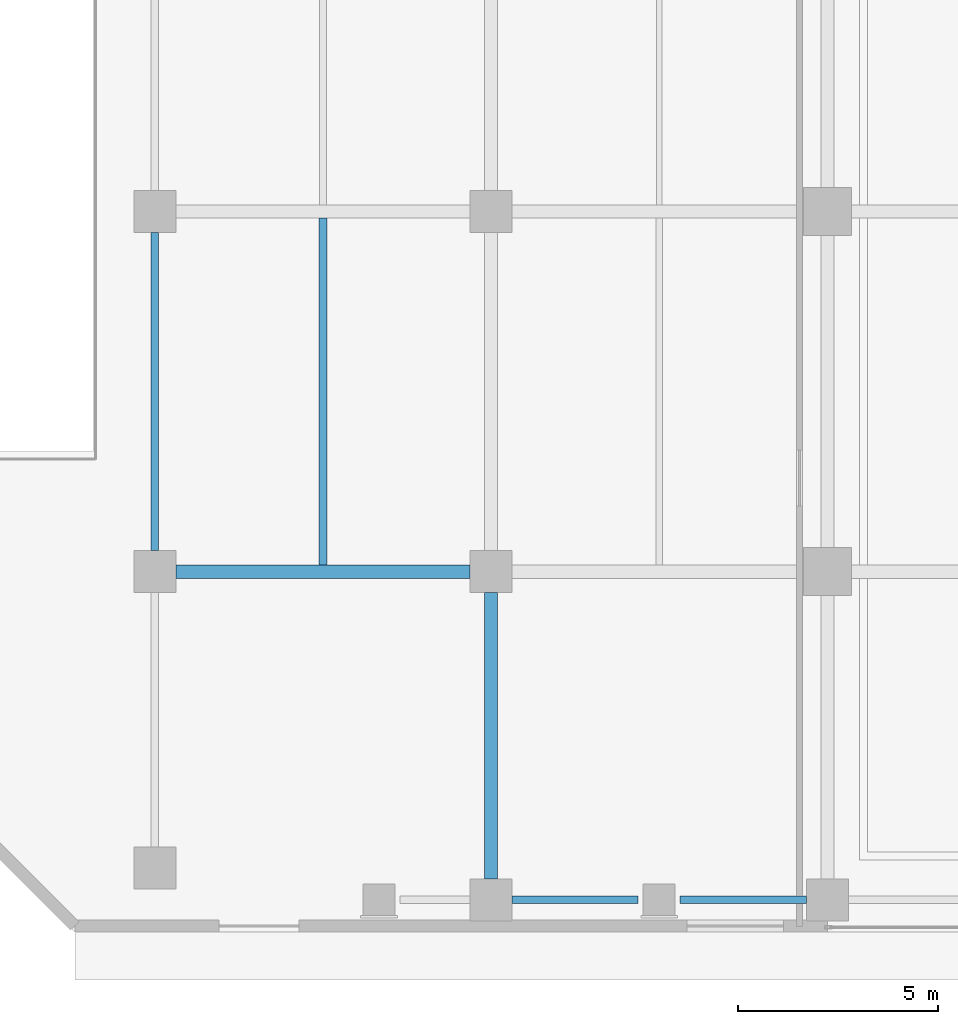
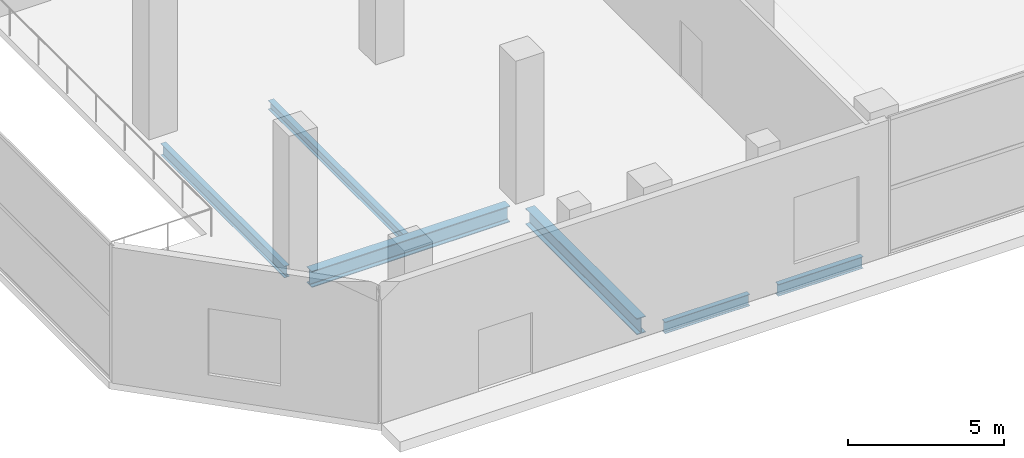
# One storey, part 7 of 35: 6 beams.
"""IFC4 building model written with IfcOpenShell, lengths in metres."""

import ifcopenshell
import ifcopenshell.guid

model = None  # the IFC model being written
_history = None  # IfcOwnerHistory: only IFC2X3 demands one
_inside = {}  # id of a spatial element -> (the spatial element, [elements in it])
_under = {}  # id of a project, library or spatial element -> (it, [spatial elements below it])
_declared = {}  # id of a project -> (the project, [libraries it declares])
_typed = {}  # id of a type object -> (the type object, [elements of that type])
_made_of = {}  # id of a material, layer set ... -> (it, [elements and type objects made of it])


def new_model(schema):
    """Start an empty IFC model of exactly this schema.

    Asked for "IFC4X3", IfcOpenShell would pick the latest addendum, in which some entities
    have other attributes; the version numbers below select the first issue.
    IFC2X3 requires an IfcOwnerHistory on every rooted entity: one is made here for all.
    """
    global model, _history
    if schema == "IFC4X3":
        model = ifcopenshell.file(schema_version=(4, 3, 0, 0))
    else:
        model = ifcopenshell.file(schema=schema)
    _inside.clear()
    _under.clear()
    _declared.clear()
    _typed.clear()
    _made_of.clear()
    _history = None
    if model.schema == "IFC2X3":
        org = make("IfcOrganization", Name="unknown")
        user = make(
            "IfcPersonAndOrganization",
            ThePerson=make("IfcPerson", FamilyName="unknown"),
            TheOrganization=org,
        )
        app = make(
            "IfcApplication",
            ApplicationDeveloper=org,
            Version="unknown",
            ApplicationFullName="unknown",
            ApplicationIdentifier="unknown",
        )
        _history = make(
            "IfcOwnerHistory",
            OwningUser=user,
            OwningApplication=app,
            ChangeAction="ADDED",
            CreationDate=0,
        )
    return model


def make(cls, **values):
    """One entity of the class cls with the attributes given. An attribute that is None is left unset."""
    return model.create_entity(
        cls, **{name: value for name, value in values.items() if value is not None}
    )


def rooted(cls, **values):
    """An entity with a GlobalId (a new one), such as an element, a storey or a relation."""
    return make(cls, GlobalId=ifcopenshell.guid.new(), OwnerHistory=_history, **values)


def si_unit(unit_type, name, prefix=None):
    """IfcSIUnit, for example si_unit("LENGTHUNIT", "METRE", prefix="MILLI")."""
    return make("IfcSIUnit", UnitType=unit_type, Prefix=prefix, Name=name)


def assignment(units):
    """IfcUnitAssignment: the units of a project."""
    return None if units is None else make("IfcUnitAssignment", Units=units)


def point(xyz):
    """IfcCartesianPoint."""
    return None if xyz is None else make("IfcCartesianPoint", Coordinates=xyz)


def direction(xyz):
    """IfcDirection."""
    return None if xyz is None else make("IfcDirection", DirectionRatios=xyz)


def frame(location, z_axis=None, x_axis=None):
    """IfcAxis2Placement3D, a coordinate frame: its origin and axes. An axis left out is left unset."""
    return make(
        "IfcAxis2Placement3D",
        Location=point(location),
        Axis=direction(z_axis),
        RefDirection=direction(x_axis),
    )


def frame_2d(location, x_axis=None):
    """IfcAxis2Placement2D, a coordinate frame in the plane: its origin and x axis."""
    return make(
        "IfcAxis2Placement2D", Location=point(location), RefDirection=direction(x_axis)
    )


def origin():
    """The frame at (0, 0, 0) with its axes left unset."""
    return frame((0.0, 0.0, 0.0))


def origin_2d():
    """The frame at (0, 0) in the plane with its x axis left unset."""
    return frame_2d((0.0, 0.0))


def place(relative_to, where):
    """IfcLocalPlacement: puts the frame where relative to a parent placement (None: the world)."""
    return make(
        "IfcLocalPlacement", PlacementRelTo=relative_to, RelativePlacement=where
    )


def context(
    kind, dimensions, precision=None, world=None, true_north=None, identifier=None
):
    """IfcGeometricRepresentationContext, for example the 3D "Model" context."""
    return make(
        "IfcGeometricRepresentationContext",
        ContextIdentifier=identifier,
        ContextType=kind,
        CoordinateSpaceDimension=dimensions,
        Precision=precision,
        WorldCoordinateSystem=world,
        TrueNorth=true_north,
    )


def subcontext(parent, identifier, kind, view, scale=None):
    """IfcGeometricRepresentationSubContext, for example "Body" below "Model"."""
    return make(
        "IfcGeometricRepresentationSubContext",
        ContextIdentifier=identifier,
        ContextType=kind,
        ParentContext=parent,
        TargetScale=scale,
        TargetView=view,
    )


def project(units=None, contexts=None):
    """IfcProject with its units and contexts."""
    return rooted(
        "IfcProject",
        Name="project",
        RepresentationContexts=contexts,
        UnitsInContext=assignment(units),
    )


def spatial(cls, under=None, at=None, **own):
    """A site, building, storey or space (cls), placed at a placement, below another one or the project."""
    s = rooted(cls, ObjectPlacement=at, **own)
    if under is not None:
        _under.setdefault(under.id(), (under, []))[1].append(s)
    return s


def profile(cls, at=None, kind="AREA", **sizes):
    """A parametric profile (cls). Its sizes go by their IFC names, for example OverallWidth=200.0."""
    return make(cls, ProfileType=kind, Position=at, **sizes)


def i_section(**sizes):
    """IfcIShapeProfileDef."""
    return profile("IfcIShapeProfileDef", **sizes)


def extrude(swept, where, along, depth):
    """IfcExtrudedAreaSolid: the profile swept, set in the frame where, extruded along a direction by depth."""
    return make(
        "IfcExtrudedAreaSolid",
        SweptArea=swept,
        Position=where,
        ExtrudedDirection=direction(along),
        Depth=depth,
    )


def shape(context_of_items, identifier, shape_type, items):
    """IfcShapeRepresentation: the items that make up one representation, for example the "Body"."""
    return make(
        "IfcShapeRepresentation",
        ContextOfItems=context_of_items,
        RepresentationIdentifier=identifier,
        RepresentationType=shape_type,
        Items=items,
    )


def material(Name=None, Category=None):
    """IfcMaterial."""
    return make("IfcMaterial", Name=Name, Category=Category)


def material_profile(
    of_material, cross_section, Name=None, Category=None, Priority=None
):
    """IfcMaterialProfile: a cross section and its material."""
    return make(
        "IfcMaterialProfile",
        Name=Name,
        Material=of_material,
        Profile=cross_section,
        Priority=Priority,
        Category=Category,
    )


def profile_set(profiles, Name=None, composite=None):
    """IfcMaterialProfileSet."""
    return make(
        "IfcMaterialProfileSet",
        Name=Name,
        MaterialProfiles=profiles,
        CompositeProfile=composite,
    )


def made_of(thing, what):
    """Note that an element or type object is made of a material, layer set ...; save() writes the relation."""
    if what is not None:
        _made_of.setdefault(what.id(), (what, []))[1].append(thing)
    return thing


def type_object(cls, material=None, **own):
    """A type object (cls), such as IfcWallType, which elements share."""
    return made_of(rooted(cls, **own), material)


def element(
    cls,
    number,
    at=None,
    inside=None,
    cuts=None,
    type_object=None,
    material=None,
    context=None,
    identifier="Body",
    shape_type=None,
    held_by="IfcProductDefinitionShape",
    body=None,
    shapes=None,
    **own,
):
    """One element of the class cls, such as IfcWall. Its Tag is "e" and its number.

    at: its placement. inside: the storey or other place that contains it. cuts: it is an
    opening in that element (IfcRelVoidsElement). A single representation is given by context,
    identifier, shape_type and body (its items); several are given by shapes. held_by: the class
    of the entity that holds the representations. save() writes the other relations.
    """
    e = rooted(cls, Tag="e%d" % number, ObjectPlacement=at, **own)
    if body is not None:
        shapes = [shape(context, identifier, shape_type, body)]
    if shapes is not None:
        e.Representation = make(held_by, Representations=shapes)
    if inside is not None:
        _inside.setdefault(inside.id(), (inside, []))[1].append(e)
    if cuts is not None:
        rooted(
            "IfcRelVoidsElement", RelatingBuildingElement=cuts, RelatedOpeningElement=e
        )
    if type_object is not None:
        _typed.setdefault(type_object.id(), (type_object, []))[1].append(e)
    return made_of(e, material)


def aggregate(whole, parts):
    """IfcRelAggregates: a whole, such as a stair, and the parts it consists of."""
    return rooted("IfcRelAggregates", RelatingObject=whole, RelatedObjects=parts)


def save(model, path):
    """Write the relations noted so far, then the file.

    IfcRelAggregates (storeys below a building ...), IfcRelContainedInSpatialStructure (elements
    in a storey), IfcRelDefinesByType, IfcRelAssociatesMaterial and IfcRelDeclares: one each for
    every whole, place, type object, material and project.
    """
    for whole, parts in _under.values():
        aggregate(whole, parts)
    for where, things in _inside.values():
        rooted(
            "IfcRelContainedInSpatialStructure",
            RelatedElements=things,
            RelatingStructure=where,
        )
    for kind, things in _typed.values():
        rooted("IfcRelDefinesByType", RelatedObjects=things, RelatingType=kind)
    for what, things in _made_of.values():
        rooted("IfcRelAssociatesMaterial", RelatedObjects=things, RelatingMaterial=what)
    for by, libraries in _declared.values():
        rooted("IfcRelDeclares", RelatingContext=by, RelatedDefinitions=libraries)
    model.write(path)


model = new_model("IFC4")

# Units and contexts
model_context = context("Model", 3, precision=1e-05, world=origin(), true_north=direction((0.0, 1.0)))
body_context = subcontext(model_context, "Body", "Model", "MODEL_VIEW")
ifc_project = project(units=[si_unit("LENGTHUNIT", "METRE"), si_unit("AREAUNIT", "SQUARE_METRE"), si_unit("VOLUMEUNIT", "CUBIC_METRE"), si_unit("PLANEANGLEUNIT", "RADIAN"), si_unit("MASSUNIT", "GRAM", prefix="KILO")], contexts=[model_context])

# Site, building, storey
site_placement = place(None, origin())
site = spatial("IfcSite", under=ifc_project, at=site_placement, CompositionType="ELEMENT")
building_placement = place(site_placement, origin())
building = spatial("IfcBuilding", under=site, at=building_placement, Name="Maruvema Waterfront Hotel and Observation Tower", CompositionType="ELEMENT")
storey_placement = place(building_placement, origin())
storey = spatial("IfcBuildingStorey", under=building, at=storey_placement, Name="L00", CompositionType="ELEMENT", Elevation=0.0)

# Beams
ifc_material_1 = material(Name="Steel ASTM A572 Grade 50", Category="steel")
ifc_material_profile_1 = material_profile(ifc_material_1, i_section(OverallWidth=0.18994140625, OverallDepth=0.45703125, WebThickness=0.009033203125, FlangeThickness=0.014404296875, FilletRadius=0.014892578125, at=origin_2d()), Name="W460x74.0")
ifc_profile_set_1 = profile_set([ifc_material_profile_1], Name="Steel ASTM A572 Grade 50")
beam_type_1 = type_object("IfcBeamType", Name="Perimeter Spandrel Beam W460x74.0", PredefinedType="SPANDREL", material=ifc_profile_set_1)
for number, where, z_axis, x_axis, name in (
    (1, (17.324951171875, 0.800048828125, -0.508544921875), (1.0, 0.0, 0.0), (0.0, 1.0, 0.0), "L00 Floor Girder EW-02"),
    (2, (21.52490234375, 0.800048828125, -0.508544921875), (1.0, 0.0, 0.0), (0.0, 1.0, 0.0), "L00 Floor Girder EW-03"),
):
    element("IfcBeam", number, at=place(storey_placement, frame(where, z_axis=z_axis, x_axis=x_axis)), inside=storey, type_object=beam_type_1, Name=name, PredefinedType="SPANDREL", context=body_context, shape_type="SweptSolid", body=[
        extrude(i_section(OverallWidth=0.18994140625, OverallDepth=0.45703125, WebThickness=0.009033203125, FlangeThickness=0.014404296875, FilletRadius=0.014892578125, at=origin_2d()), origin(), (0.0, 0.0, 1.0), 3.150146484375),
    ])
beam_1_placement = place(storey_placement, frame((8.39990234375, 9.52490234375, -0.508544921875), z_axis=(0.0, 1.0, 0.0), x_axis=(-1.0, 0.0, 0.0)))
element("IfcBeam", 3, at=beam_1_placement, inside=storey, type_object=beam_type_1, Name="L00 Floor Girder NS-02", PredefinedType="SPANDREL", context=body_context, shape_type="SweptSolid", body=[
    extrude(i_section(OverallWidth=0.18994140625, OverallDepth=0.45703125, WebThickness=0.009033203125, FlangeThickness=0.014404296875, FilletRadius=0.014892578125, at=origin_2d()), origin(), (0.0, 0.0, 1.0), 7.9501953125),
])
ifc_material_2 = material(Name="Steel ASTM A572 Grade 50", Category="steel")
ifc_material_profile_2 = material_profile(ifc_material_2, i_section(OverallWidth=0.3291015625, OverallDepth=0.635009765625, WebThickness=0.017822265625, FlangeThickness=0.031005859375, FilletRadius=0.01806640625, at=origin_2d()), Name="W610x241.0")
ifc_profile_set_2 = profile_set([ifc_material_profile_2], Name="Steel ASTM A572 Grade 50")
beam_type_2 = type_object("IfcBeamType", Name="Primary Floor Girder W610x241.0", PredefinedType="BEAM", material=ifc_profile_set_2)
beam_2_placement = place(storey_placement, frame((8.925048828125, 9.0, -0.597412109375), z_axis=(1.0, 0.0, 0.0), x_axis=(0.0, 1.0, 0.0)))
element("IfcBeam", 4, at=beam_2_placement, inside=storey, type_object=beam_type_2, Name="L00 Floor Girder EW-10", PredefinedType="BEAM", context=body_context, shape_type="SweptSolid", body=[
    extrude(i_section(OverallWidth=0.3291015625, OverallDepth=0.635009765625, WebThickness=0.017822265625, FlangeThickness=0.031005859375, FilletRadius=0.01806640625, at=origin_2d()), origin(), (0.0, 0.0, 1.0), 7.349853515625),
])
beam_3_placement = place(storey_placement, frame((16.800048828125, 1.324951171875, -0.597412109375), z_axis=(0.0, 1.0, 0.0), x_axis=(-1.0, 0.0, 0.0)))
element("IfcBeam", 5, at=beam_3_placement, inside=storey, type_object=beam_type_2, Name="L00 Floor Girder NS-07", PredefinedType="BEAM", context=body_context, shape_type="SweptSolid", body=[
    extrude(i_section(OverallWidth=0.3291015625, OverallDepth=0.635009765625, WebThickness=0.017822265625, FlangeThickness=0.031005859375, FilletRadius=0.01806640625, at=origin_2d()), origin(), (0.0, 0.0, 1.0), 7.150146484375),
])
ifc_material_3 = material(Name="Steel ASTM A572 Grade 50", Category="steel")
ifc_material_profile_3 = material_profile(ifc_material_3, i_section(OverallWidth=0.202880859375, OverallDepth=0.346923828125, WebThickness=0.0078125, FlangeThickness=0.013427734375, FilletRadius=0.014892578125, at=origin_2d()), Name="W360x64.0")
ifc_profile_set_3 = profile_set([ifc_material_profile_3], Name="Steel ASTM A572 Grade 50")
beam_type_3 = type_object("IfcBeamType", Name="Secondary Floor Joist W360x64.0", PredefinedType="JOIST", material=ifc_profile_set_3)
beam_4_placement = place(storey_placement, frame((12.60009765625, 9.16455078125, -0.45361328125), z_axis=(0.0, 1.0, 0.0), x_axis=(-1.0, 0.0, 0.0)))
element("IfcBeam", 6, at=beam_4_placement, inside=storey, type_object=beam_type_3, Name="L00 Secondary Floor Joist JS-01", PredefinedType="JOIST", context=body_context, shape_type="SweptSolid", body=[
    extrude(i_section(OverallWidth=0.202880859375, OverallDepth=0.346923828125, WebThickness=0.0078125, FlangeThickness=0.013427734375, FilletRadius=0.014892578125, at=origin_2d()), origin(), (0.0, 0.0, 1.0), 8.6708984375),
])

save(model, "model.ifc")
